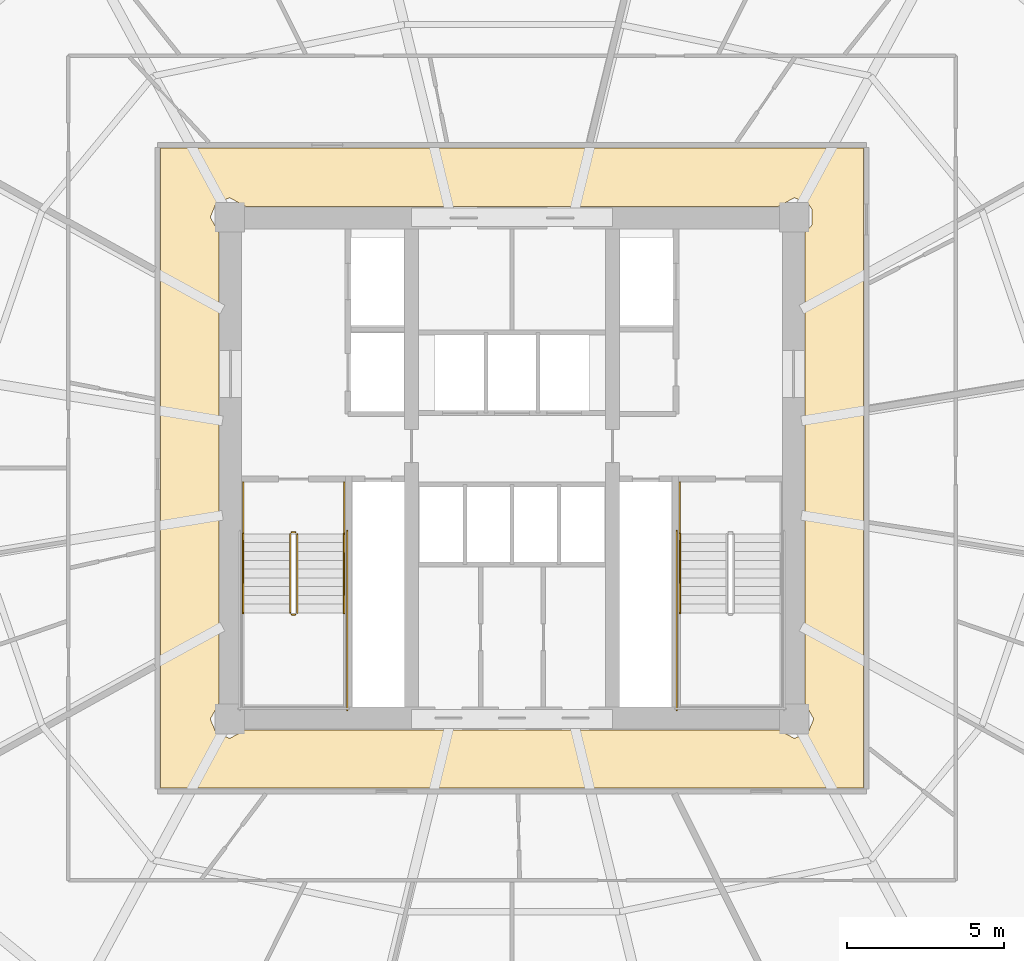
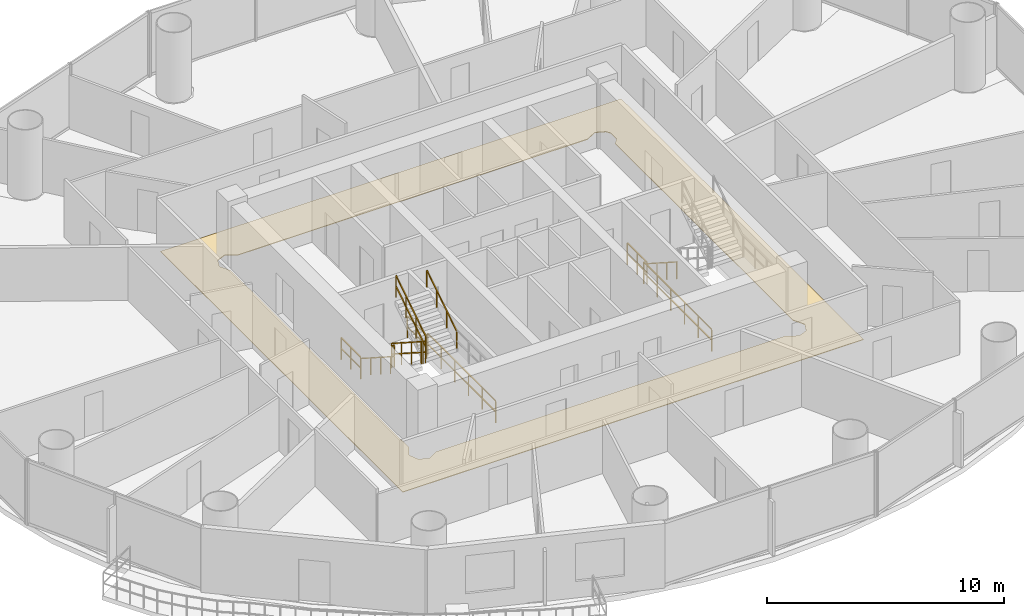
# One storey, part 26 of 28: 12 railings, 1 covering.
"""IFC4 building model written with IfcOpenShell, lengths in metres."""

from ifc_helpers import new_model, si_unit, direction, frame, origin, origin_2d, place, context, subcontext, project, spatial, polyline, rectangle, outline, extrude, material, layer, layer_set, type_object, element, save


model = new_model("IFC4")

# Units and contexts
model_context = context("Model", 3, precision=1e-05, world=origin(), true_north=direction((-0.2419218956, 0.970295726276)))
body_context = subcontext(model_context, "Body", "Model", "MODEL_VIEW")
ifc_project = project(units=[si_unit("LENGTHUNIT", "METRE"), si_unit("AREAUNIT", "SQUARE_METRE"), si_unit("VOLUMEUNIT", "CUBIC_METRE"), si_unit("PLANEANGLEUNIT", "RADIAN"), si_unit("MASSUNIT", "GRAM", prefix="KILO")], contexts=[model_context])

# Site, building, storey
site_placement = place(None, origin())
site = spatial("IfcSite", under=ifc_project, at=site_placement, CompositionType="ELEMENT")
building_placement = place(site_placement, origin())
building = spatial("IfcBuilding", under=site, at=building_placement, Name="Cobrevalo Terracotta Tower", CompositionType="ELEMENT")
storey_placement = place(building_placement, frame((0.0, 0.0, 101.39990234375)))
storey = spatial("IfcBuildingStorey", under=building, at=storey_placement, Name="L26", CompositionType="ELEMENT", Elevation=101.39990234375)

# Covering
ifc_material_1 = material(Name="Honed terracotta and granite tile", Category="masonry")
ifc_layer = layer(ifc_material_1, 0.034912109375)
ifc_layer_set = layer_set([ifc_layer], Name="Honed terracotta and granite tile")
covering_type = type_object("IfcCoveringType", Name="Honed Terracotta & Granite Interior Flooring 35", PredefinedType="FLOORING", material=ifc_layer_set)
covering_placement = place(storey_placement, origin())
element("IfcCovering", 1, at=covering_placement, inside=storey, type_object=covering_type, Name="L26 Residential Floor Corridor floor finish", PredefinedType="FLOORING", context=body_context, shape_type="SweptSolid", body=[
    extrude(outline(polyline([(49.205078125, 37.0048828125), (49.205078125, 16.594970703125), (26.794921875, 16.594970703125), (26.794921875, 37.0048828125), (49.205078125, 37.0048828125)]), holes=[polyline([(47.344970703125, 34.298828125), (47.5732421875, 34.5625), (47.5732421875, 35.037353515625), (47.438720703125, 35.23876953125), (47.0, 35.42041015625), (46.498779296875, 35.14501953125), (29.501220703125, 35.14501953125), (29.0, 35.42041015625), (28.561279296875, 35.23876953125), (28.379638671875, 34.800048828125), (28.655029296875, 34.298828125), (28.655029296875, 19.30126953125), (28.379638671875, 18.800048828125), (28.561279296875, 18.361328125), (29.0, 18.1796875), (29.501220703125, 18.455078125), (46.498779296875, 18.455078125), (47.0, 18.1796875), (47.438720703125, 18.361328125), (47.620361328125, 18.800048828125), (47.344970703125, 19.30126953125), (47.344970703125, 34.298828125)])]), origin(), (0.0, 0.0, 1.0), 0.030029296875),
])

# Railings
ifc_material_2 = material(Name="Brushed stainless steel", Category="steel")
railing_type_1 = type_object("IfcRailingType", Name="Stainless Steel Stair Handrail 900", PredefinedType="HANDRAIL", material=ifc_material_2)
railing_1_placement = place(storey_placement, frame((29.425048828125, 24.699951171875, 0.18017578125)))
element("IfcRailing", 2, at=railing_1_placement, inside=storey, type_object=railing_type_1, Name="L26 ST-1 stair handrail 1", PredefinedType="HANDRAIL", context=body_context, shape_type="SweptSolid", body=[
    extrude(rectangle(XDim=0.048095703125, YDim=0.048095703125, at=origin_2d()), frame((0.0, 0.0, 0.8759765625), z_axis=(0.0, -0.841199657755, 0.540724639528), x_axis=(1.0, 0.0, 0.0)), (0.0, 0.0, 1.0), 2.995849609375),
    extrude(rectangle(XDim=0.0419921875, YDim=0.0419921875, at=origin_2d()), origin(), (0.0, 0.0, 1.0), 0.851806640625),
    extrude(rectangle(XDim=0.0419921875, YDim=0.0419921875, at=origin_2d()), frame((0.0, -0.840087890625, 0.5400390625)), (0.0, 0.0, 1.0), 0.851806640625),
    extrude(rectangle(XDim=0.0419921875, YDim=0.0419921875, at=origin_2d()), frame((0.0, -1.679931640625, 1.079833984375)), (0.0, 0.0, 1.0), 0.851806640625),
    extrude(rectangle(XDim=0.0419921875, YDim=0.0419921875, at=origin_2d()), frame((0.0, -2.52001953125, 1.619873046875)), (0.0, 0.0, 1.0), 0.851806640625),
])
railing_2_placement = place(storey_placement, frame((32.64501953125, 22.179931640625, 1.97998046875)))
element("IfcRailing", 3, at=railing_2_placement, inside=storey, type_object=railing_type_1, Name="L26 ST-1 stair handrail 2", PredefinedType="HANDRAIL", context=body_context, shape_type="SweptSolid", body=[
    extrude(rectangle(XDim=0.048095703125, YDim=0.048095703125, at=origin_2d()), frame((0.0, 0.0, 0.8759765625), z_axis=(0.0, 0.841162588446, 0.540782303519), x_axis=(-1.0, 0.0, 0.0)), (0.0, 0.0, 1.0), 2.995849609375),
    extrude(rectangle(XDim=0.0419921875, YDim=0.0419921875, at=origin_2d()), origin(), (0.0, 0.0, 1.0), 0.851806640625),
    extrude(rectangle(XDim=0.0419921875, YDim=0.0419921875, at=origin_2d()), frame((0.0, 0.840087890625, 0.5400390625)), (0.0, 0.0, 1.0), 0.851806640625),
    extrude(rectangle(XDim=0.0419921875, YDim=0.0419921875, at=origin_2d()), frame((0.0, 1.679931640625, 1.080078125)), (0.0, 0.0, 1.0), 0.851806640625),
    extrude(rectangle(XDim=0.0419921875, YDim=0.0419921875, at=origin_2d()), frame((0.0, 2.52001953125, 1.6201171875)), (0.0, 0.0, 1.0), 0.851806640625),
])
railing_3_placement = place(storey_placement, frame((43.35498046875, 24.699951171875, 0.18017578125)))
element("IfcRailing", 4, at=railing_3_placement, inside=storey, type_object=railing_type_1, Name="L26 ST-2 stair handrail 1", PredefinedType="HANDRAIL", context=body_context, shape_type="SweptSolid", body=[
    extrude(rectangle(XDim=0.048095703125, YDim=0.048095703125, at=origin_2d()), frame((0.0, 0.0, 0.8759765625), z_axis=(0.0, -0.841199657755, 0.540724639528), x_axis=(1.0, 0.0, 0.0)), (0.0, 0.0, 1.0), 2.995849609375),
    extrude(rectangle(XDim=0.0419921875, YDim=0.0419921875, at=origin_2d()), origin(), (0.0, 0.0, 1.0), 0.851806640625),
    extrude(rectangle(XDim=0.0419921875, YDim=0.0419921875, at=origin_2d()), frame((0.0, -0.840087890625, 0.5400390625)), (0.0, 0.0, 1.0), 0.851806640625),
    extrude(rectangle(XDim=0.0419921875, YDim=0.0419921875, at=origin_2d()), frame((0.0, -1.679931640625, 1.079833984375)), (0.0, 0.0, 1.0), 0.851806640625),
    extrude(rectangle(XDim=0.0419921875, YDim=0.0419921875, at=origin_2d()), frame((0.0, -2.52001953125, 1.619873046875)), (0.0, 0.0, 1.0), 0.851806640625),
])
ifc_material_3 = material(Name="Painted galvanized steel", Category="steel")
railing_type_2 = type_object("IfcRailingType", Name="Stair Well Guard Balustrade 1150", PredefinedType="GUARDRAIL", material=ifc_material_3)
railing_4_placement = place(storey_placement, frame((30.925048828125, 24.699951171875, 0.18017578125)))
element("IfcRailing", 5, at=railing_4_placement, inside=storey, type_object=railing_type_2, Name="L26 ST-1 stair guard 1", PredefinedType="GUARDRAIL", context=body_context, shape_type="SweptSolid", body=[
    extrude(rectangle(XDim=0.048095703125, YDim=0.048095703125, at=origin_2d()), frame((0.0, 0.0, 1.1259765625), z_axis=(0.0, -0.841199657755, 0.540724639528), x_axis=(1.0, 0.0, 0.0)), (0.0, 0.0, 1.0), 2.995849609375),
    extrude(rectangle(XDim=0.048095703125, YDim=0.048095703125, at=origin_2d()), frame((0.0, 0.0, 0.574951171875), z_axis=(0.0, -0.841199657755, 0.540724639528), x_axis=(1.0, 0.0, 0.0)), (0.0, 0.0, 1.0), 2.995849609375),
    extrude(rectangle(XDim=0.0419921875, YDim=0.0419921875, at=origin_2d()), origin(), (0.0, 0.0, 1.0), 1.101806640625),
    extrude(rectangle(XDim=0.0419921875, YDim=0.0419921875, at=origin_2d()), frame((0.0, -0.840087890625, 0.5400390625)), (0.0, 0.0, 1.0), 1.101806640625),
    extrude(rectangle(XDim=0.0419921875, YDim=0.0419921875, at=origin_2d()), frame((0.0, -1.679931640625, 1.079833984375)), (0.0, 0.0, 1.0), 1.101806640625),
    extrude(rectangle(XDim=0.0419921875, YDim=0.0419921875, at=origin_2d()), frame((0.0, -2.52001953125, 1.619873046875)), (0.0, 0.0, 1.0), 1.101806640625),
])
railing_5_placement = place(storey_placement, frame((30.97509765625, 22.1298828125, 1.800048828125)))
element("IfcRailing", 6, at=railing_5_placement, inside=storey, type_object=railing_type_2, Name="L26 ST-1 stair guard 2", PredefinedType="GUARDRAIL", context=body_context, shape_type="SweptSolid", body=[
    extrude(rectangle(XDim=0.048095703125, YDim=0.048095703125, at=origin_2d()), frame((0.0, 0.0, 1.1259765625), z_axis=(1.0, 0.0, 0.0), x_axis=(0.0, 1.0, 0.0)), (0.0, 0.0, 1.0), 0.119873046875),
    extrude(rectangle(XDim=0.048095703125, YDim=0.048095703125, at=origin_2d()), frame((0.0, 0.0, 0.574951171875), z_axis=(1.0, 0.0, 0.0), x_axis=(0.0, 1.0, 0.0)), (0.0, 0.0, 1.0), 0.119873046875),
    extrude(rectangle(XDim=0.0419921875, YDim=0.0419921875, at=origin_2d()), origin(), (0.0, 0.0, 1.0), 1.101806640625),
    extrude(rectangle(XDim=0.0419921875, YDim=0.0419921875, at=origin_2d()), frame((0.119873046875, 0.0, 0.0)), (0.0, 0.0, 1.0), 1.101806640625),
])
railing_6_placement = place(storey_placement, frame((31.14501953125, 22.179931640625, 1.97998046875)))
element("IfcRailing", 7, at=railing_6_placement, inside=storey, type_object=railing_type_2, Name="L26 ST-1 stair guard 6", PredefinedType="GUARDRAIL", context=body_context, shape_type="SweptSolid", body=[
    extrude(rectangle(XDim=0.048095703125, YDim=0.048095703125, at=origin_2d()), frame((0.0, 0.0, 1.1259765625), z_axis=(0.0, 0.841162588446, 0.540782303519), x_axis=(-1.0, 0.0, 0.0)), (0.0, 0.0, 1.0), 2.995849609375),
    extrude(rectangle(XDim=0.048095703125, YDim=0.048095703125, at=origin_2d()), frame((0.0, 0.0, 0.574951171875), z_axis=(0.0, 0.841162588446, 0.540782303519), x_axis=(-1.0, 0.0, 0.0)), (0.0, 0.0, 1.0), 2.995849609375),
    extrude(rectangle(XDim=0.0419921875, YDim=0.0419921875, at=origin_2d()), origin(), (0.0, 0.0, 1.0), 1.101806640625),
    extrude(rectangle(XDim=0.0419921875, YDim=0.0419921875, at=origin_2d()), frame((0.0, 0.840087890625, 0.5400390625)), (0.0, 0.0, 1.0), 1.101806640625),
    extrude(rectangle(XDim=0.0419921875, YDim=0.0419921875, at=origin_2d()), frame((0.0, 1.679931640625, 1.080078125)), (0.0, 0.0, 1.0), 1.101806640625),
    extrude(rectangle(XDim=0.0419921875, YDim=0.0419921875, at=origin_2d()), frame((0.0, 2.52001953125, 1.6201171875)), (0.0, 0.0, 1.0), 1.101806640625),
])
railing_7_placement = place(storey_placement, frame((30.97509765625, 24.75, 0.0)))
element("IfcRailing", 8, at=railing_7_placement, inside=storey, type_object=railing_type_2, Name="L26 ST-1 stair guard 7", PredefinedType="GUARDRAIL", context=body_context, shape_type="SweptSolid", body=[
    extrude(rectangle(XDim=0.048095703125, YDim=0.048095703125, at=origin_2d()), frame((0.0, 0.0, 1.1259765625), z_axis=(1.0, 0.0, 0.0), x_axis=(0.0, 1.0, 0.0)), (0.0, 0.0, 1.0), 0.119873046875),
    extrude(rectangle(XDim=0.048095703125, YDim=0.048095703125, at=origin_2d()), frame((0.0, 0.0, 0.574951171875), z_axis=(1.0, 0.0, 0.0), x_axis=(0.0, 1.0, 0.0)), (0.0, 0.0, 1.0), 0.119873046875),
    extrude(rectangle(XDim=0.0419921875, YDim=0.0419921875, at=origin_2d()), origin(), (0.0, 0.0, 1.0), 1.101806640625),
    extrude(rectangle(XDim=0.0419921875, YDim=0.0419921875, at=origin_2d()), frame((0.119873046875, 0.0, 0.0)), (0.0, 0.0, 1.0), 1.101806640625),
])
for number, where, name in (
    (9, (29.425048828125, 26.35009765625, 0.0), "L26 ST-1 stair guard 8"),
    (10, (32.64501953125, 26.35009765625, 0.0), "L26 ST-1 stair guard 9"),
):
    element("IfcRailing", number, at=place(storey_placement, frame(where)), inside=storey, type_object=railing_type_2, Name=name, PredefinedType="GUARDRAIL", context=body_context, shape_type="SweptSolid", body=[
        extrude(rectangle(XDim=0.048095703125, YDim=0.048095703125, at=origin_2d()), frame((0.0, 0.0, 1.1259765625), z_axis=(0.0, -1.0, 0.0), x_axis=(1.0, 0.0, 0.0)), (0.0, 0.0, 1.0), 1.650146484375),
        extrude(rectangle(XDim=0.048095703125, YDim=0.048095703125, at=origin_2d()), frame((0.0, 0.0, 0.574951171875), z_axis=(0.0, -1.0, 0.0), x_axis=(1.0, 0.0, 0.0)), (0.0, 0.0, 1.0), 1.650146484375),
        extrude(rectangle(XDim=0.0419921875, YDim=0.0419921875, at=origin_2d()), origin(), (0.0, 0.0, 1.0), 1.101806640625),
        extrude(rectangle(XDim=0.0419921875, YDim=0.0419921875, at=origin_2d()), frame((0.0, -0.8251953125, 0.0)), (0.0, 0.0, 1.0), 1.101806640625),
        extrude(rectangle(XDim=0.0419921875, YDim=0.0419921875, at=origin_2d()), frame((0.0, -1.650146484375, 0.0)), (0.0, 0.0, 1.0), 1.101806640625),
    ])
railing_8_placement = place(storey_placement, frame((32.7451171875, 24.800048828125, 0.0)))
element("IfcRailing", 11, at=railing_8_placement, inside=storey, type_object=railing_type_2, Name="L26 ST-1 stair guard 11", PredefinedType="GUARDRAIL", context=body_context, shape_type="SweptSolid", body=[
    extrude(rectangle(XDim=0.048095703125, YDim=0.048095703125, at=origin_2d()), frame((0.0, 0.0, 1.1259765625), z_axis=(0.0, -1.0, 0.0), x_axis=(1.0, 0.0, 0.0)), (0.0, 0.0, 1.0), 5.72509765625),
    extrude(rectangle(XDim=0.048095703125, YDim=0.048095703125, at=origin_2d()), frame((0.0, 0.0, 0.574951171875), z_axis=(0.0, -1.0, 0.0), x_axis=(1.0, 0.0, 0.0)), (0.0, 0.0, 1.0), 5.72509765625),
    extrude(rectangle(XDim=0.0419921875, YDim=0.0419921875, at=origin_2d()), origin(), (0.0, 0.0, 1.0), 1.101806640625),
    extrude(rectangle(XDim=0.0419921875, YDim=0.0419921875, at=origin_2d()), frame((0.0, -1.14501953125, 0.0)), (0.0, 0.0, 1.0), 1.101806640625),
    extrude(rectangle(XDim=0.0419921875, YDim=0.0419921875, at=origin_2d()), frame((0.0, -2.2900390625, 0.0)), (0.0, 0.0, 1.0), 1.101806640625),
    extrude(rectangle(XDim=0.0419921875, YDim=0.0419921875, at=origin_2d()), frame((0.0, -3.43505859375, 0.0)), (0.0, 0.0, 1.0), 1.101806640625),
    extrude(rectangle(XDim=0.0419921875, YDim=0.0419921875, at=origin_2d()), frame((0.0, -4.580078125, 0.0)), (0.0, 0.0, 1.0), 1.101806640625),
    extrude(rectangle(XDim=0.0419921875, YDim=0.0419921875, at=origin_2d()), frame((0.0, -5.72509765625, 0.0)), (0.0, 0.0, 1.0), 1.101806640625),
])
railing_9_placement = place(storey_placement, frame((43.35498046875, 26.35009765625, 0.0)))
element("IfcRailing", 12, at=railing_9_placement, inside=storey, type_object=railing_type_2, Name="L26 ST-2 stair guard 8", PredefinedType="GUARDRAIL", context=body_context, shape_type="SweptSolid", body=[
    extrude(rectangle(XDim=0.048095703125, YDim=0.048095703125, at=origin_2d()), frame((0.0, 0.0, 1.1259765625), z_axis=(0.0, -1.0, 0.0), x_axis=(1.0, 0.0, 0.0)), (0.0, 0.0, 1.0), 1.650146484375),
    extrude(rectangle(XDim=0.048095703125, YDim=0.048095703125, at=origin_2d()), frame((0.0, 0.0, 0.574951171875), z_axis=(0.0, -1.0, 0.0), x_axis=(1.0, 0.0, 0.0)), (0.0, 0.0, 1.0), 1.650146484375),
    extrude(rectangle(XDim=0.0419921875, YDim=0.0419921875, at=origin_2d()), origin(), (0.0, 0.0, 1.0), 1.101806640625),
    extrude(rectangle(XDim=0.0419921875, YDim=0.0419921875, at=origin_2d()), frame((0.0, -0.8251953125, 0.0)), (0.0, 0.0, 1.0), 1.101806640625),
    extrude(rectangle(XDim=0.0419921875, YDim=0.0419921875, at=origin_2d()), frame((0.0, -1.650146484375, 0.0)), (0.0, 0.0, 1.0), 1.101806640625),
])
railing_10_placement = place(storey_placement, frame((43.2548828125, 24.800048828125, 0.0)))
element("IfcRailing", 13, at=railing_10_placement, inside=storey, type_object=railing_type_2, Name="L26 ST-2 stair guard 10", PredefinedType="GUARDRAIL", context=body_context, shape_type="SweptSolid", body=[
    extrude(rectangle(XDim=0.048095703125, YDim=0.048095703125, at=origin_2d()), frame((0.0, 0.0, 1.1259765625), z_axis=(0.0, -1.0, 0.0), x_axis=(1.0, 0.0, 0.0)), (0.0, 0.0, 1.0), 5.72509765625),
    extrude(rectangle(XDim=0.048095703125, YDim=0.048095703125, at=origin_2d()), frame((0.0, 0.0, 0.574951171875), z_axis=(0.0, -1.0, 0.0), x_axis=(1.0, 0.0, 0.0)), (0.0, 0.0, 1.0), 5.72509765625),
    extrude(rectangle(XDim=0.0419921875, YDim=0.0419921875, at=origin_2d()), origin(), (0.0, 0.0, 1.0), 1.101806640625),
    extrude(rectangle(XDim=0.0419921875, YDim=0.0419921875, at=origin_2d()), frame((0.0, -1.14501953125, 0.0)), (0.0, 0.0, 1.0), 1.101806640625),
    extrude(rectangle(XDim=0.0419921875, YDim=0.0419921875, at=origin_2d()), frame((0.0, -2.2900390625, 0.0)), (0.0, 0.0, 1.0), 1.101806640625),
    extrude(rectangle(XDim=0.0419921875, YDim=0.0419921875, at=origin_2d()), frame((0.0, -3.43505859375, 0.0)), (0.0, 0.0, 1.0), 1.101806640625),
    extrude(rectangle(XDim=0.0419921875, YDim=0.0419921875, at=origin_2d()), frame((0.0, -4.580078125, 0.0)), (0.0, 0.0, 1.0), 1.101806640625),
    extrude(rectangle(XDim=0.0419921875, YDim=0.0419921875, at=origin_2d()), frame((0.0, -5.72509765625, 0.0)), (0.0, 0.0, 1.0), 1.101806640625),
])

save(model, "model.ifc")
